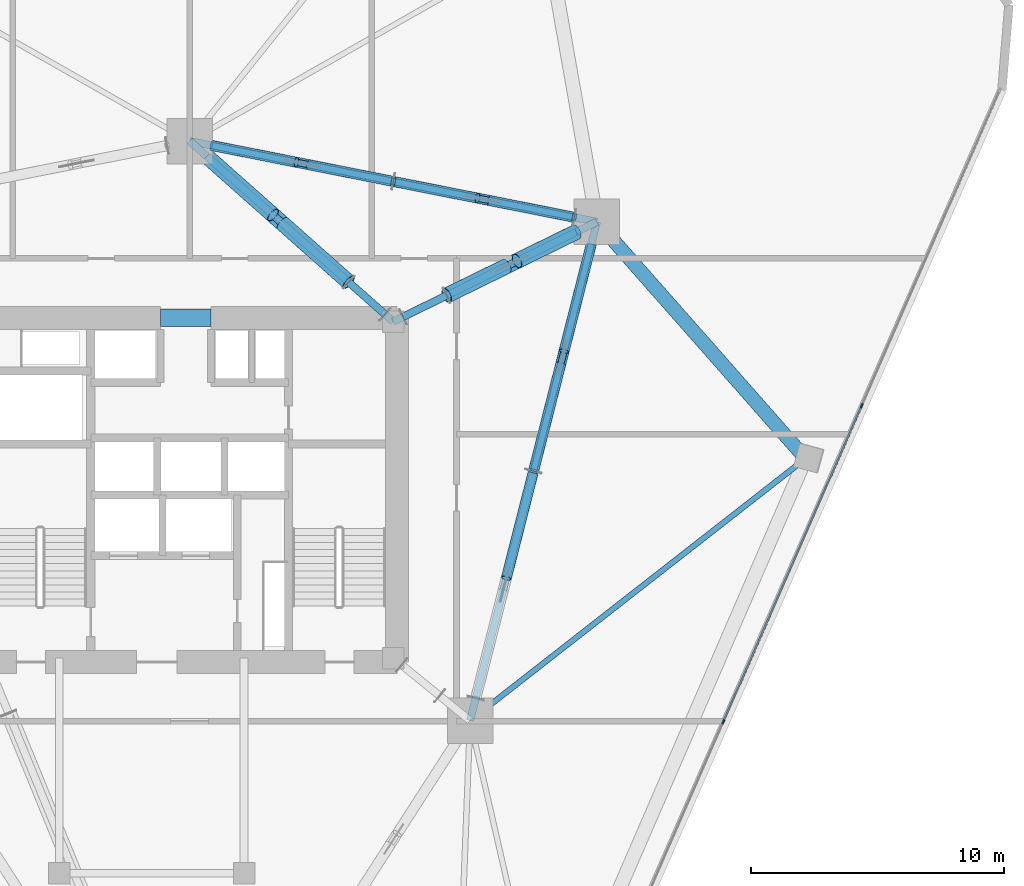
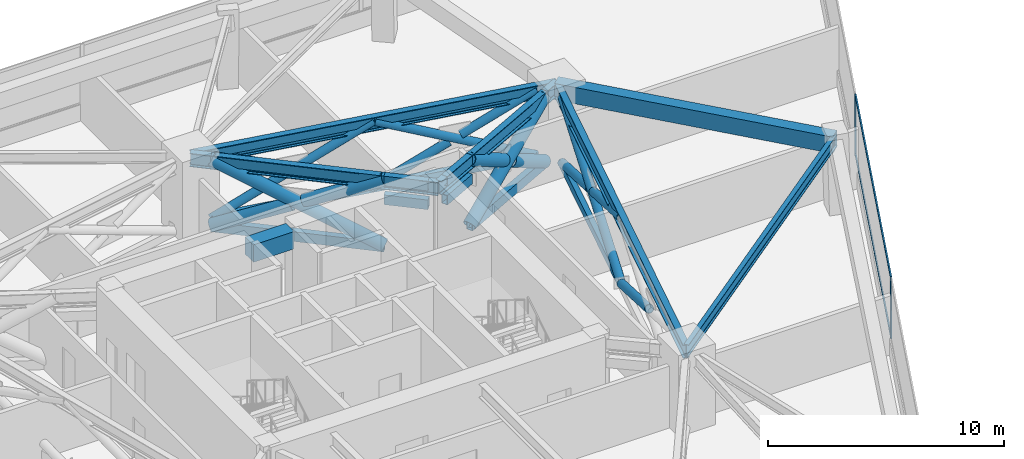
# One storey, part 10 of 20: 34 members, 7 beams, 1 element without a shape of its own.
"""IFC4 building model written with IfcOpenShell, lengths in metres."""

from ifc_helpers import new_model, si_unit, direction, frame, origin, origin_2d, place, context, subcontext, project, spatial, rectangle, hollow_rectangle, hollow_circle, i_section, extrude, material, layer, layer_set, material_profile, profile_set, type_object, element, aggregate, save


model = new_model("IFC4")

# Units and contexts
model_context = context("Model", 3, precision=1e-05, world=origin(), true_north=direction((0.0, 1.0)))
body_context = subcontext(model_context, "Body", "Model", "MODEL_VIEW")
ifc_project = project(units=[si_unit("LENGTHUNIT", "METRE"), si_unit("AREAUNIT", "SQUARE_METRE"), si_unit("VOLUMEUNIT", "CUBIC_METRE"), si_unit("PLANEANGLEUNIT", "RADIAN"), si_unit("MASSUNIT", "GRAM", prefix="KILO")], contexts=[model_context])

# Site, building, storey
site_placement = place(None, origin())
site = spatial("IfcSite", under=ifc_project, at=site_placement, CompositionType="ELEMENT")
building_placement = place(site_placement, origin())
building = spatial("IfcBuilding", under=site, at=building_placement, Name="Talyreon Biosciences Tower", CompositionType="ELEMENT")
storey_placement = place(building_placement, frame((0.0, 0.0, 70.800048828125)))
storey = spatial("IfcBuildingStorey", under=building, at=storey_placement, Name="L18", CompositionType="ELEMENT", Elevation=70.800048828125)

# Members
ifc_material_1 = material(Name="Steel SM355", Category="steel")
ifc_material_profile_1 = material_profile(ifc_material_1, hollow_circle(Radius=0.203125, WallThickness=0.01611328125, at=origin_2d()), Name="CHS 406.4x16")
ifc_profile_set_1 = profile_set([ifc_material_profile_1], Name="Steel SM355")
member_type_1 = type_object("IfcMemberType", Name="BeltBrace_CHS406", PredefinedType="BRACE", material=ifc_profile_set_1)
member_1_placement = place(storey_placement, frame((79.59423828125, 68.739501953125, 0.239990234375), z_axis=(-0.231162143972, -0.908668418608, 0.347686307207), x_axis=(0.969131653737, -0.246543784598, 0.0)))
element("IfcMember", 1, at=member_1_placement, inside=storey, type_object=member_type_1, Name="L18 Split Diagonal BELT-L18-B2S1B-Lower", PredefinedType="BRACE", context=body_context, shape_type="SweptSolid", body=[
    extrude(hollow_circle(Radius=0.203125, WallThickness=0.01611328125, at=origin_2d()), origin(), (0.0, 0.0, 1.0), 4.65966796875),
])
member_2_placement = place(storey_placement, frame((79.59423828125, 68.739501953125, 0.239990234375), z_axis=(0.23115197416, 0.908668937551, 0.347691712255), x_axis=(-0.969134278925, 0.246533465097, 0.0)))
element("IfcMember", 2, at=member_2_placement, inside=storey, type_object=member_type_1, Name="L18 Continuous Diagonal BELT-L18-B2S2A", PredefinedType="BRACE", context=body_context, shape_type="SweptSolid", body=[
    extrude(hollow_circle(Radius=0.203125, WallThickness=0.01611328125, at=origin_2d()), origin(), (0.0, 0.0, 1.0), 9.879638671875),
])
member_3_placement = place(storey_placement, frame((81.8779296875, 77.716796875, 0.239990234375), z_axis=(-0.231162143972, -0.908668418608, 0.347686307207), x_axis=(0.969131653737, -0.246543784598, 0.0)))
element("IfcMember", 3, at=member_3_placement, inside=storey, type_object=member_type_1, Name="L18 Split Diagonal BELT-L18-B2S2B-Lower", PredefinedType="BRACE", context=body_context, shape_type="SweptSolid", body=[
    extrude(hollow_circle(Radius=0.203125, WallThickness=0.01611328125, at=origin_2d()), origin(), (0.0, 0.0, 1.0), 4.65966796875),
])
member_4_placement = place(storey_placement, frame((80.67138671875, 72.973876953125, 2.054931640625), z_axis=(-0.231151139103, -0.90867755136, 0.347669755006), x_axis=(0.969135050079, -0.246530433634, 0.0)))
element("IfcMember", 4, at=member_4_placement, inside=storey, type_object=member_type_1, Name="L18 Split Diagonal BELT-L18-B2S2B-Upper", PredefinedType="BRACE", context=body_context, shape_type="SweptSolid", body=[
    extrude(hollow_circle(Radius=0.203125, WallThickness=0.01611328125, at=origin_2d()), origin(), (0.0, 0.0, 1.0), 4.659912109375),
])
member_5_placement = place(storey_placement, frame((81.209716796875, 78.775634765625, 0.239990234375), z_axis=(-0.887525317323, 0.175834199663, 0.425888653686), x_axis=(-0.194340124852, -0.98093420568, 0.0)))
element("IfcMember", 5, at=member_5_placement, inside=storey, type_object=member_type_1, Name="L18 Continuous Diagonal BELT-L18-B3S1A", PredefinedType="BRACE", context=body_context, shape_type="SweptSolid", body=[
    extrude(hollow_circle(Radius=0.203125, WallThickness=0.01611328125, at=origin_2d()), origin(), (0.0, 0.0, 1.0), 8.065673828125),
])
for number, where, z_axis, x_axis, name in (
    (6, (74.05126953125, 80.19384765625, 0.239990234375), (0.887542694608, -0.175843135932, 0.425848748729), (0.194345967112, 0.980933048208, 0.0), "L18 Split Diagonal BELT-L18-B3S1B-Lower"),
    (7, (77.87890625, 79.435546875, 2.07666015625), (0.887518105706, -0.175838264291, 0.425902003816), (0.194345967112, 0.980933048208, 0.0), "L18 Split Diagonal BELT-L18-B3S1B-Upper"),
):
    element("IfcMember", number, at=place(storey_placement, frame(where, z_axis=z_axis, x_axis=x_axis)), inside=storey, type_object=member_type_1, Name=name, PredefinedType="BRACE", context=body_context, shape_type="SweptSolid", body=[
        extrude(hollow_circle(Radius=0.203125, WallThickness=0.01611328125, at=origin_2d()), origin(), (0.0, 0.0, 1.0), 3.7529296875),
    ])
member_6_placement = place(storey_placement, frame((74.05126953125, 80.19384765625, 0.239990234375), z_axis=(-0.887531743195, 0.175829476032, 0.425877212562), x_axis=(-0.194333747367, -0.980935469149, 0.0)))
element("IfcMember", 8, at=member_6_placement, inside=storey, type_object=member_type_1, Name="L18 Continuous Diagonal BELT-L18-B3S2A", PredefinedType="BRACE", context=body_context, shape_type="SweptSolid", body=[
    extrude(hollow_circle(Radius=0.203125, WallThickness=0.01611328125, at=origin_2d()), origin(), (0.0, 0.0, 1.0), 8.06591796875),
])
for number, where, z_axis, x_axis, name in (
    (9, (66.892578125, 81.612060546875, 0.239990234375), (0.887542694608, -0.175843135932, 0.425848748729), (0.194345967112, 0.980933048208, 0.0), "L18 Split Diagonal BELT-L18-B3S2B-Lower"),
    (10, (70.720458984375, 80.853759765625, 2.07666015625), (0.887518105706, -0.175838264291, 0.425902003816), (0.194345967112, 0.980933048208, 0.0), "L18 Split Diagonal BELT-L18-B3S2B-Upper"),
):
    element("IfcMember", number, at=place(storey_placement, frame(where, z_axis=z_axis, x_axis=x_axis)), inside=storey, type_object=member_type_1, Name=name, PredefinedType="BRACE", context=body_context, shape_type="SweptSolid", body=[
        extrude(hollow_circle(Radius=0.203125, WallThickness=0.01611328125, at=origin_2d()), origin(), (0.0, 0.0, 1.0), 3.7529296875),
    ])
ifc_material_profile_2 = material_profile(ifc_material_1, hollow_rectangle(XDim=0.25, YDim=0.39990234375, WallThickness=0.01611328125, at=origin_2d()), Name="RHS 400x250x16")
ifc_profile_set_2 = profile_set([ifc_material_profile_2], Name="Steel SM355")
member_type_2 = type_object("IfcMemberType", Name="BeltChord_RHS400x250", PredefinedType="CHORD", material=ifc_profile_set_2)
for number, where, z_axis, x_axis, name in (
    (11, (79.59423828125, 68.739501953125, 0.239990234375), (0.246533465097, 0.969134278925, 0.0), (-0.969134278925, 0.246533465097, 0.0), "L18 Truss Bottom Chord BELT-L18-B2S2"),
    (12, (79.59423828125, 68.739501953125, 3.675048828125), (0.246533465097, 0.969134278925, 0.0), (-0.969134278925, 0.246533465097, 0.0), "L18 Truss Top Chord BELT-L18-B2S2"),
):
    element("IfcMember", number, at=place(storey_placement, frame(where, z_axis=z_axis, x_axis=x_axis)), inside=storey, type_object=member_type_2, Name=name, PredefinedType="CHORD", context=body_context, shape_type="SweptSolid", body=[
        extrude(hollow_rectangle(XDim=0.25, YDim=0.39990234375, WallThickness=0.01611328125, at=origin_2d()), origin(), (0.0, 0.0, 1.0), 9.26318359375),
    ])
for number, where, z_axis, x_axis, name in (
    (13, (81.209716796875, 78.775634765625, 0.239990234375), (-0.98093420568, 0.194340124852, 0.0), (-0.194340124852, -0.98093420568, 0.0), "L18 Truss Bottom Chord BELT-L18-B3S1"),
    (14, (81.209716796875, 78.775634765625, 3.675048828125), (-0.98093420568, 0.194340124852, 0.0), (-0.194340124852, -0.98093420568, 0.0), "L18 Truss Top Chord BELT-L18-B3S1"),
):
    element("IfcMember", number, at=place(storey_placement, frame(where, z_axis=z_axis, x_axis=x_axis)), inside=storey, type_object=member_type_2, Name=name, PredefinedType="CHORD", context=body_context, shape_type="SweptSolid", body=[
        extrude(hollow_rectangle(XDim=0.25, YDim=0.39990234375, WallThickness=0.01611328125, at=origin_2d()), origin(), (0.0, 0.0, 1.0), 7.297607421875),
    ])
for number, where, z_axis, x_axis, name in (
    (15, (74.05126953125, 80.19384765625, 0.239990234375), (-0.980935469149, 0.194333747367, 0.0), (-0.194333747367, -0.980935469149, 0.0), "L18 Truss Bottom Chord BELT-L18-B3S2"),
    (16, (74.05126953125, 80.19384765625, 3.675048828125), (-0.980935469149, 0.194333747367, 0.0), (-0.194333747367, -0.980935469149, 0.0), "L18 Truss Top Chord BELT-L18-B3S2"),
):
    element("IfcMember", number, at=place(storey_placement, frame(where, z_axis=z_axis, x_axis=x_axis)), inside=storey, type_object=member_type_2, Name=name, PredefinedType="CHORD", context=body_context, shape_type="SweptSolid", body=[
        extrude(hollow_rectangle(XDim=0.25, YDim=0.39990234375, WallThickness=0.01611328125, at=origin_2d()), origin(), (0.0, 0.0, 1.0), 7.2978515625),
    ])

# Curtain wall, members
ifc_material_2 = material(Name="Thermally broken aluminium and low-E glazing", Category="aluminium")
ifc_layer = layer(ifc_material_2, 0.195068359375)
ifc_layer_set = layer_set([ifc_layer], Name="Thermally broken aluminium and low-E glazing")
curtain_wall_type = type_object("IfcCurtainWallType", Name="CurtainWall_Zone1WetLab", PredefinedType="NOTDEFINED", material=ifc_layer_set)
curtain_wall_placement = place(storey_placement, origin())
curtain_wall = element("IfcCurtainWall", 17, at=curtain_wall_placement, inside=storey, type_object=curtain_wall_type, Name="L18 Unitised Curtain Wall FCW-L18-08", PredefinedType="NOTDEFINED")
ifc_material_3 = material(Name="Anodised thermally broken aluminium", Category="aluminium")
ifc_material_profile_3 = material_profile(ifc_material_3, rectangle(XDim=0.06494140625, YDim=0.179931640625, at=origin_2d()), Name="ALUM MULLION 65x180")
ifc_profile_set_3 = profile_set([ifc_material_profile_3], Name="Anodised thermally broken aluminium")
member_type_3 = type_object("IfcMemberType", Name="CWMullion_65x180", PredefinedType="MULLION", material=ifc_profile_set_3)
member_7_placement = place(storey_placement, frame((92.57080078125, 71.33251953125, 0.81005859375), z_axis=(0.0, 0.0, 1.0), x_axis=(0.916151953082, -0.400831135099, 0.0)))
member_7 = element("IfcMember", 18, at=member_7_placement, type_object=member_type_3, Name="CW2 mullion 2", PredefinedType="MULLION", context=body_context, shape_type="SweptSolid", body=[
    extrude(rectangle(XDim=0.06494140625, YDim=0.179931640625, at=origin_2d()), origin(), (0.0, 0.0, 1.0), 3.114990234375),
])
member_8_placement = place(storey_placement, frame((87.1005859375, 58.830078125, 0.81005859375), z_axis=(0.0, 0.0, 1.0), x_axis=(0.916151953082, -0.400831135099, 0.0)))
member_8 = element("IfcMember", 19, at=member_8_placement, type_object=member_type_3, Name="CW2 mullion 3", PredefinedType="MULLION", context=body_context, shape_type="SweptSolid", body=[
    extrude(rectangle(XDim=0.06494140625, YDim=0.179931640625, at=origin_2d()), origin(), (0.0, 0.0, 1.0), 3.114990234375),
])
ifc_material_profile_4 = material_profile(ifc_material_3, rectangle(XDim=0.06494140625, YDim=0.139892578125, at=origin_2d()), Name="ALUM TRANSOM 65x140")
ifc_profile_set_4 = profile_set([ifc_material_profile_4], Name="Anodised thermally broken aluminium")
member_type_4 = type_object("IfcMemberType", Name="CWTransom_65x140", PredefinedType="USERDEFINED", material=ifc_profile_set_4)
member_9_placement = place(storey_placement, frame((92.5576171875, 71.302734375, 0.842529296875), z_axis=(-0.40082449197, -0.916154859528, 0.0), x_axis=(0.916154859528, -0.40082449197, 0.0)))
member_9 = element("IfcMember", 20, at=member_9_placement, type_object=member_type_4, Name="CW2 transom 2.1", ObjectType="TRANSOM", PredefinedType="USERDEFINED", context=body_context, shape_type="SweptSolid", body=[
    extrude(rectangle(XDim=0.06494140625, YDim=0.139892578125, at=origin_2d()), origin(), (0.0, 0.0, 1.0), 13.58154296875),
])
member_10_placement = place(storey_placement, frame((92.5576171875, 71.302734375, 3.892333984375), z_axis=(-0.40082449197, -0.916154859528, 0.0), x_axis=(0.916154859528, -0.40082449197, 0.0)))
member_10 = element("IfcMember", 21, at=member_10_placement, type_object=member_type_4, Name="CW2 transom 2.2", ObjectType="TRANSOM", PredefinedType="USERDEFINED", context=body_context, shape_type="SweptSolid", body=[
    extrude(rectangle(XDim=0.06494140625, YDim=0.139892578125, at=origin_2d()), origin(), (0.0, 0.0, 1.0), 13.58154296875),
])
aggregate(curtain_wall, [member_7, member_8, member_9, member_10])

# Beams
ifc_material_4 = material(Name="Concrete C60/75", Category="concrete")
ifc_material_profile_5 = material_profile(ifc_material_4, rectangle(XDim=0.699951171875, YDim=0.89990234375, at=origin_2d()), Name="RCB 700x900")
ifc_profile_set_5 = profile_set([ifc_material_profile_5], Name="Concrete C60/75")
beam_type_1 = type_object("IfcBeamType", Name="CoreCouplingLintel_700x900", PredefinedType="LINTEL", material=ifc_profile_set_5)
beam_1_placement = place(storey_placement, frame((64.85009765625, 74.800048828125, 3.474853515625), z_axis=(1.0, 0.0, 0.0), x_axis=(0.0, 1.0, 0.0)))
element("IfcBeam", 22, at=beam_1_placement, inside=storey, type_object=beam_type_1, Name="L18 Core Coupling Lintel", PredefinedType="LINTEL", context=body_context, shape_type="SweptSolid", body=[
    extrude(rectangle(XDim=0.699951171875, YDim=0.89990234375, at=origin_2d()), origin(), (0.0, 0.0, 1.0), 2.0),
])
ifc_material_5 = material(Name="Precast concrete C45/55", Category="concrete")
ifc_material_profile_6 = material_profile(ifc_material_5, rectangle(XDim=0.550048828125, YDim=0.85009765625, at=origin_2d()), Name="RCB 550x850")
ifc_profile_set_6 = profile_set([ifc_material_profile_6], Name="Precast concrete C45/55")
beam_type_2 = type_object("IfcBeamType", Name="ExpressedSpandrel_550x850", PredefinedType="SPANDREL", material=ifc_profile_set_6)
beam_2_placement = place(storey_placement, frame((90.353271484375, 69.239990234375, 3.5), z_axis=(-0.661321934163, 0.750102192634, 0.0), x_axis=(-0.750102192634, -0.661321934163, 0.0)))
element("IfcBeam", 23, at=beam_2_placement, inside=storey, type_object=beam_type_2, Name="L18 Expressed Horizontal Concrete Spandrel 04", PredefinedType="SPANDREL", context=body_context, shape_type="SweptSolid", body=[
    extrude(rectangle(XDim=0.550048828125, YDim=0.85009765625, at=origin_2d()), origin(), (0.0, 0.0, 1.0), 12.4765625),
])

# Members
ifc_material_profile_7 = material_profile(ifc_material_1, hollow_circle(Radius=0.304931640625, WallThickness=0.02490234375, at=origin_2d()), Name="CHS 610x25")
ifc_profile_set_7 = profile_set([ifc_material_profile_7], Name="Steel SM355")
member_type_5 = type_object("IfcMemberType", Name="OutriggerBrace_CHS610", PredefinedType="BRACE", material=ifc_profile_set_7)
member_11_placement = place(storey_placement, frame((76.159912109375, 75.684814453125, 0.239990234375), z_axis=(0.769326214219, 0.377224161626, 0.515595876634), x_axis=(-0.440254576107, 0.897872991139, 0.0)))
element("IfcMember", 24, at=member_11_placement, inside=storey, type_object=member_type_5, Name="L18 Continuous Diagonal OUT-L18-R3A", PredefinedType="BRACE", context=body_context, shape_type="SweptSolid", body=[
    extrude(hollow_circle(Radius=0.304931640625, WallThickness=0.02490234375, at=origin_2d()), origin(), (0.0, 0.0, 1.0), 6.662353515625),
])
for number, where, z_axis, x_axis, name in (
    (25, (81.285400390625, 78.197998046875, 0.239990234375), (-0.769343544585, -0.377270391338, 0.515536189055), (0.440290075653, -0.897855583756, 0.0), "L18 Split Diagonal OUT-L18-R3B-Lower"),
    (26, (78.50732421875, 76.835693359375, 2.101806640625), (-0.769335028301, -0.377186201083, 0.515610496346), (0.440214792646, -0.897892497093, 0.0), "L18 Split Diagonal OUT-L18-R3B-Upper"),
):
    element("IfcMember", number, at=place(storey_placement, frame(where, z_axis=z_axis, x_axis=x_axis)), inside=storey, type_object=member_type_5, Name=name, PredefinedType="BRACE", context=body_context, shape_type="SweptSolid", body=[
        extrude(hollow_circle(Radius=0.304931640625, WallThickness=0.02490234375, at=origin_2d()), origin(), (0.0, 0.0, 1.0), 3.05126953125),
    ])
member_12_placement = place(storey_placement, frame((72.291748046875, 76.209228515625, 0.239990234375), z_axis=(-0.680214059386, 0.603230473603, 0.416439466346), x_axis=(-0.663500580124, -0.748175768236, 0.0)))
element("IfcMember", 27, at=member_12_placement, inside=storey, type_object=member_type_5, Name="L18 Continuous Diagonal OUT-L18-R4A", PredefinedType="BRACE", context=body_context, shape_type="SweptSolid", body=[
    extrude(hollow_circle(Radius=0.304931640625, WallThickness=0.02490234375, at=origin_2d()), origin(), (0.0, 0.0, 1.0), 8.24853515625),
])
member_13_placement = place(storey_placement, frame((66.680908203125, 81.18505859375, 0.239990234375), z_axis=(0.680216696379, -0.603246979638, 0.416411248077), x_axis=(0.663509302798, 0.748168032664, 0.0)))
element("IfcMember", 28, at=member_13_placement, inside=storey, type_object=member_type_5, Name="L18 Split Diagonal OUT-L18-R4B-Lower", PredefinedType="BRACE", context=body_context, shape_type="SweptSolid", body=[
    extrude(hollow_circle(Radius=0.304931640625, WallThickness=0.02490234375, at=origin_2d()), origin(), (0.0, 0.0, 1.0), 3.84423828125),
])
member_14_placement = place(storey_placement, frame((69.6767578125, 78.5283203125, 2.073974609375), z_axis=(0.68019870755, -0.603231026329, 0.416463740464), x_axis=(0.663509302798, 0.748168032664, 0.0)))
element("IfcMember", 29, at=member_14_placement, inside=storey, type_object=member_type_5, Name="L18 Split Diagonal OUT-L18-R4B-Upper", PredefinedType="BRACE", context=body_context, shape_type="SweptSolid", body=[
    extrude(hollow_circle(Radius=0.304931640625, WallThickness=0.02490234375, at=origin_2d()), origin(), (0.0, 0.0, 1.0), 3.844482421875),
])
ifc_material_profile_8 = material_profile(ifc_material_1, hollow_rectangle(XDim=0.300048828125, YDim=0.5, WallThickness=0.02001953125, at=origin_2d()), Name="RHS 500x300x20")
ifc_profile_set_8 = profile_set([ifc_material_profile_8], Name="Steel SM355")
member_type_6 = type_object("IfcMemberType", Name="OutriggerChord_RHS500x300", PredefinedType="CHORD", material=ifc_profile_set_8)
for number, where, z_axis, x_axis, name in (
    (30, (74.440673828125, 74.841552734375, 3.675048828125), (0.897817943666, 0.4403668244, 0.0), (-0.4403668244, 0.897817943666, 0.0), "L18 Outrigger Core Top Tie 3"),
    (31, (74.440673828125, 74.841552734375, 2.699951171875), (0.897817943666, 0.4403668244, 0.0), (-0.4403668244, 0.897817943666, 0.0), "L18 Outrigger Core Plenum Tie 3"),
):
    element("IfcMember", number, at=place(storey_placement, frame(where, z_axis=z_axis, x_axis=x_axis)), inside=storey, type_object=member_type_6, Name=name, PredefinedType="CHORD", context=body_context, shape_type="SweptSolid", body=[
        extrude(hollow_rectangle(XDim=0.300048828125, YDim=0.5, WallThickness=0.02001953125, at=origin_2d()), origin(), (0.0, 0.0, 1.0), 1.914794921875),
    ])
for number, where, z_axis, x_axis, name in (
    (32, (76.159912109375, 75.684814453125, 0.239990234375), (0.897872991139, 0.440254576107, 0.0), (-0.440254576107, 0.897872991139, 0.0), "L18 Truss Bottom Chord OUT-L18-R3"),
    (33, (76.159912109375, 75.684814453125, 3.675048828125), (0.897872991139, 0.440254576107, 0.0), (-0.440254576107, 0.897872991139, 0.0), "L18 Truss Top Chord OUT-L18-R3"),
):
    element("IfcMember", number, at=place(storey_placement, frame(where, z_axis=z_axis, x_axis=x_axis)), inside=storey, type_object=member_type_6, Name=name, PredefinedType="CHORD", context=body_context, shape_type="SweptSolid", body=[
        extrude(hollow_rectangle(XDim=0.300048828125, YDim=0.5, WallThickness=0.02001953125, at=origin_2d()), origin(), (0.0, 0.0, 1.0), 5.70849609375),
    ])
for number, where, z_axis, x_axis, name in (
    (34, (73.724609375, 74.938720703125, 3.675048828125), (-0.748224675617, 0.663445427144, 0.0), (-0.663445427144, -0.748224675617, 0.0), "L18 Outrigger Core Top Tie 4"),
    (35, (73.724609375, 74.938720703125, 2.699951171875), (-0.748224675617, 0.663445427144, 0.0), (-0.663445427144, -0.748224675617, 0.0), "L18 Outrigger Core Plenum Tie 4"),
):
    element("IfcMember", number, at=place(storey_placement, frame(where, z_axis=z_axis, x_axis=x_axis)), inside=storey, type_object=member_type_6, Name=name, PredefinedType="CHORD", context=body_context, shape_type="SweptSolid", body=[
        extrude(hollow_rectangle(XDim=0.300048828125, YDim=0.5, WallThickness=0.02001953125, at=origin_2d()), origin(), (0.0, 0.0, 1.0), 1.9150390625),
    ])
for number, where, z_axis, x_axis, name in (
    (36, (72.291748046875, 76.209228515625, 0.239990234375), (-0.748175768236, 0.663500580124, 0.0), (-0.663500580124, -0.748175768236, 0.0), "L18 Truss Bottom Chord OUT-L18-R4"),
    (37, (72.291748046875, 76.209228515625, 3.675048828125), (-0.748175768236, 0.663500580124, 0.0), (-0.663500580124, -0.748175768236, 0.0), "L18 Truss Top Chord OUT-L18-R4"),
):
    element("IfcMember", number, at=place(storey_placement, frame(where, z_axis=z_axis, x_axis=x_axis)), inside=storey, type_object=member_type_6, Name=name, PredefinedType="CHORD", context=body_context, shape_type="SweptSolid", body=[
        extrude(hollow_rectangle(XDim=0.300048828125, YDim=0.5, WallThickness=0.02001953125, at=origin_2d()), origin(), (0.0, 0.0, 1.0), 7.499267578125),
    ])

# Beams
ifc_material_profile_9 = material_profile(ifc_material_1, i_section(OverallWidth=0.300048828125, OverallDepth=0.699951171875, WebThickness=0.01708984375, FlangeThickness=0.031982421875, FilletRadius=0.027099609375, at=origin_2d()), Name="HE700B")
ifc_profile_set_9 = profile_set([ifc_material_profile_9], Name="Steel SM355")
beam_type_3 = type_object("IfcBeamType", Name="SteelGirder_HE700B", PredefinedType="BEAM", material=ifc_profile_set_9)
beam_3_placement = place(storey_placement, frame((77.086181640625, 58.88037109375, 3.574951171875), z_axis=(0.246537082299, 0.969133358755, 0.0), x_axis=(-0.969133358755, 0.246537082299, 0.0)))
element("IfcBeam", 38, at=beam_3_placement, inside=storey, type_object=beam_type_3, Name="L18 Mega-Ring Girder 2", PredefinedType="BEAM", context=body_context, shape_type="SweptSolid", body=[
    extrude(i_section(OverallWidth=0.300048828125, OverallDepth=0.699951171875, WebThickness=0.01708984375, FlangeThickness=0.031982421875, FilletRadius=0.027099609375, at=origin_2d()), origin(), (0.0, 0.0, 1.0), 20.34619140625),
])
beam_4_placement = place(storey_placement, frame((82.102294921875, 78.5986328125, 3.574951171875), z_axis=(-0.980933730698, 0.194342522311, 0.0), x_axis=(-0.194342522311, -0.980933730698, 0.0)))
element("IfcBeam", 39, at=beam_4_placement, inside=storey, type_object=beam_type_3, Name="L18 Mega-Ring Girder 3", PredefinedType="BEAM", context=body_context, shape_type="SweptSolid", body=[
    extrude(i_section(OverallWidth=0.300048828125, OverallDepth=0.699951171875, WebThickness=0.01708984375, FlangeThickness=0.031982421875, FilletRadius=0.027099609375, at=origin_2d()), origin(), (0.0, 0.0, 1.0), 16.415283203125),
])
beam_5_placement = place(storey_placement, frame((74.050048828125, 74.64990234375, 3.574951171875), z_axis=(0.897852360314, 0.440296648952, 0.0), x_axis=(-0.440296648952, 0.897852360314, 0.0)))
element("IfcBeam", 40, at=beam_5_placement, inside=storey, type_object=beam_type_3, Name="L18 Radial Primary Girder 3", PredefinedType="BEAM", context=body_context, shape_type="SweptSolid", body=[
    extrude(i_section(OverallWidth=0.300048828125, OverallDepth=0.699951171875, WebThickness=0.01708984375, FlangeThickness=0.031982421875, FilletRadius=0.027099609375, at=origin_2d()), origin(), (0.0, 0.0, 1.0), 8.96826171875),
])
beam_6_placement = place(storey_placement, frame((74.050048828125, 74.64990234375, 3.574951171875), z_axis=(-0.748178733955, 0.663497235908, 0.0), x_axis=(-0.663497235908, -0.748178733955, 0.0)))
element("IfcBeam", 41, at=beam_6_placement, inside=storey, type_object=beam_type_3, Name="L18 Radial Primary Girder 4", PredefinedType="BEAM", context=body_context, shape_type="SweptSolid", body=[
    extrude(i_section(OverallWidth=0.300048828125, OverallDepth=0.699951171875, WebThickness=0.01708984375, FlangeThickness=0.031982421875, FilletRadius=0.027099609375, at=origin_2d()), origin(), (0.0, 0.0, 1.0), 10.759521484375),
])
ifc_material_profile_10 = material_profile(ifc_material_1, i_section(OverallWidth=0.219970703125, OverallDepth=0.60009765625, WebThickness=0.011962890625, FlangeThickness=0.01904296875, FilletRadius=0.02392578125, at=origin_2d()), Name="IPE600")
ifc_profile_set_10 = profile_set([ifc_material_profile_10], Name="Steel SM355")
beam_type_4 = type_object("IfcBeamType", Name="SteelJoist_IPE600", PredefinedType="JOIST", material=ifc_profile_set_10)
beam_7_placement = place(storey_placement, frame((77.086181640625, 58.88037109375, 3.625), z_axis=(0.788176953874, 0.61544868948, 0.0), x_axis=(-0.61544868948, 0.788176953874, 0.0)))
element("IfcBeam", 42, at=beam_7_placement, inside=storey, type_object=beam_type_4, Name="L18 Radial Composite Floor Joist PC-SE2", PredefinedType="JOIST", context=body_context, shape_type="SweptSolid", body=[
    extrude(i_section(OverallWidth=0.219970703125, OverallDepth=0.60009765625, WebThickness=0.011962890625, FlangeThickness=0.01904296875, FilletRadius=0.02392578125, at=origin_2d()), origin(), (0.0, 0.0, 1.0), 16.83251953125),
])

save(model, "model.ifc")
